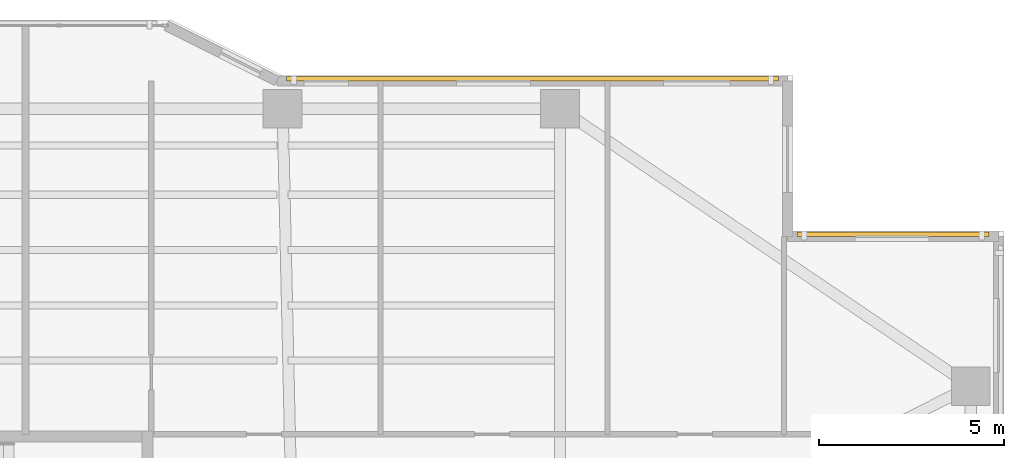
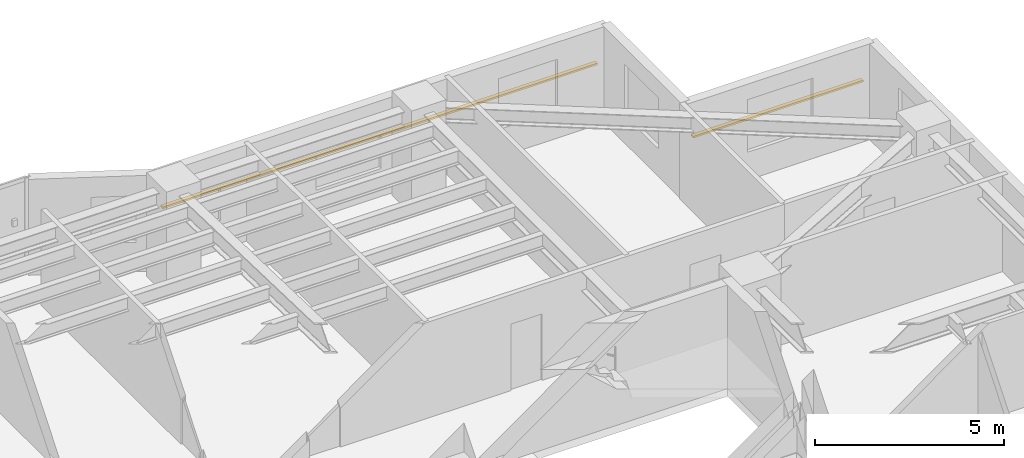
# One storey, part 18 of 18: 2 shading devices.
"""IFC4 building model written with IfcOpenShell, lengths in metres."""

from ifc_helpers import new_model, si_unit, direction, frame, origin, origin_2d, place, context, subcontext, project, spatial, rectangle, extrude, material, material_profile, profile_set, type_object, element, save


model = new_model("IFC4")

# Units and contexts
model_context = context("Model", 3, precision=1e-05, world=origin(), true_north=direction((0.0, 1.0)))
body_context = subcontext(model_context, "Body", "Model", "MODEL_VIEW")
ifc_project = project(units=[si_unit("LENGTHUNIT", "METRE"), si_unit("AREAUNIT", "SQUARE_METRE"), si_unit("VOLUMEUNIT", "CUBIC_METRE"), si_unit("PLANEANGLEUNIT", "RADIAN"), si_unit("MASSUNIT", "GRAM", prefix="KILO")], contexts=[model_context])

# Site, building, storey
site_placement = place(None, origin())
site = spatial("IfcSite", under=ifc_project, at=site_placement, CompositionType="ELEMENT")
building_placement = place(site_placement, origin())
building = spatial("IfcBuilding", under=site, at=building_placement, Name="Tarnavaz Court Tower", CompositionType="ELEMENT")
storey_placement = place(building_placement, frame((0.0, 0.0, 108.449951171875)))
storey = spatial("IfcBuildingStorey", under=building, at=storey_placement, Name="L29", CompositionType="ELEMENT", Elevation=108.449951171875)

# Shading devices
ifc_material = material(Name="Kiln-Fired Khorasan Terracotta Ceramic", Category="masonry")
ifc_material_profile = material_profile(ifc_material, rectangle(XDim=0.1201171875, YDim=0.06005859375, at=origin_2d()), Name="TC BAGUETTE 120X60")
ifc_profile_set = profile_set([ifc_material_profile], Name="Kiln-Fired Khorasan Terracotta Ceramic")
shading_device_type = type_object("IfcShadingDeviceType", Name="SD-BAG-120", PredefinedType="USERDEFINED", material=ifc_profile_set)
shading_device_1_placement = place(storey_placement, frame((7.60009765625, 22.110107421875, 1.85009765625), z_axis=(1.0, 0.0, 0.0), x_axis=(0.0, 1.0, 0.0)))
element("IfcShadingDevice", 1, at=shading_device_1_placement, inside=storey, type_object=shading_device_type, Name="L29 Terracotta Baguette Screen FBG09", ObjectType="BAGUETTE", PredefinedType="USERDEFINED", context=body_context, shape_type="SweptSolid", body=[
    extrude(rectangle(XDim=0.1201171875, YDim=0.06005859375, at=origin_2d()), origin(), (0.0, 0.0, 1.0), 13.2998046875),
])
shading_device_2_placement = place(storey_placement, frame((21.39990234375, 17.909912109375, 1.85009765625), z_axis=(1.0, 0.0, 0.0), x_axis=(0.0, 1.0, 0.0)))
element("IfcShadingDevice", 2, at=shading_device_2_placement, inside=storey, type_object=shading_device_type, Name="L29 Terracotta Baguette Screen FBG11", ObjectType="BAGUETTE", PredefinedType="USERDEFINED", context=body_context, shape_type="SweptSolid", body=[
    extrude(rectangle(XDim=0.1201171875, YDim=0.06005859375, at=origin_2d()), origin(), (0.0, 0.0, 1.0), 5.2001953125),
])

save(model, "model.ifc")
